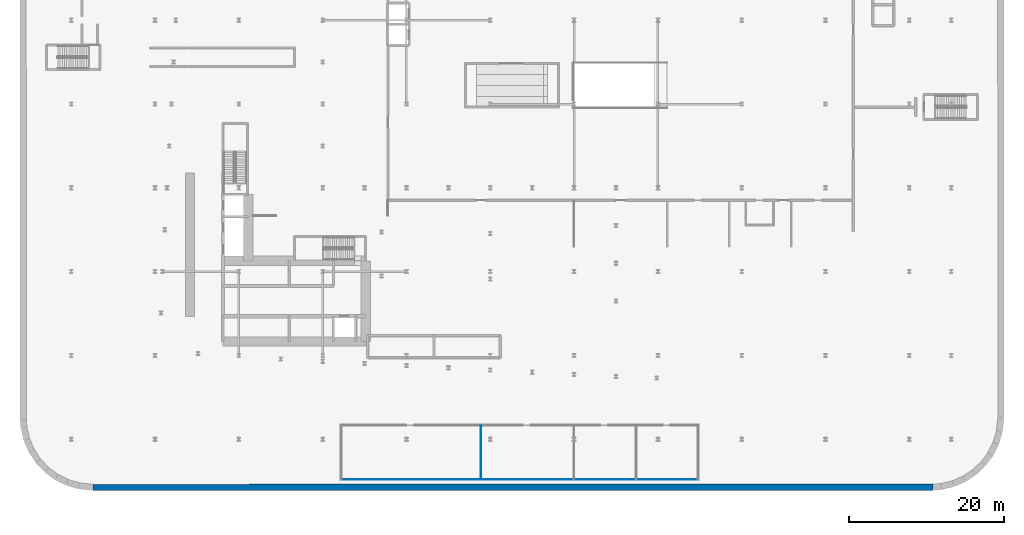
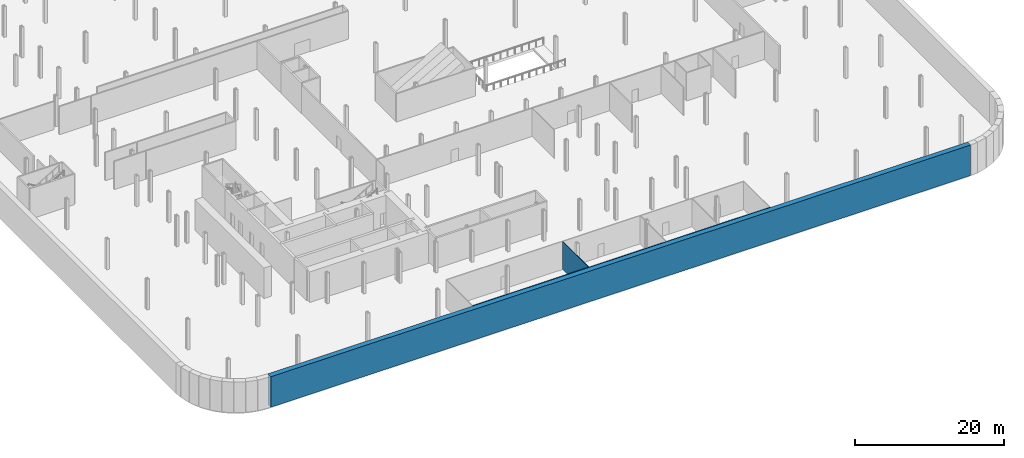
# One storey, part 7 of 19: 3 walls.
"""IFC4 building model written with IfcOpenShell, lengths in metres."""

from ifc_helpers import new_model, si_unit, direction, frame, frame_2d, origin, place, context, subcontext, project, spatial, rectangle, extrude, material, layer, layer_set, type_object, element, save


model = new_model("IFC4")

# Units and contexts
model_context = context("Model", 3, precision=1e-05, world=origin(), true_north=direction((0.0, 1.0)))
body_context = subcontext(model_context, "Body", "Model", "MODEL_VIEW")
ifc_project = project(units=[si_unit("LENGTHUNIT", "METRE"), si_unit("AREAUNIT", "SQUARE_METRE"), si_unit("VOLUMEUNIT", "CUBIC_METRE"), si_unit("PLANEANGLEUNIT", "RADIAN"), si_unit("MASSUNIT", "GRAM", prefix="KILO")], contexts=[model_context])

# Site, building, storey
site_placement = place(None, origin())
site = spatial("IfcSite", under=ifc_project, at=site_placement, CompositionType="ELEMENT")
building_placement = place(site_placement, origin())
building = spatial("IfcBuilding", under=site, at=building_placement, Name="Kheshtan School and Residences Tower", CompositionType="ELEMENT")
storey_placement = place(building_placement, frame((0.0, 0.0, -5.0)))
storey = spatial("IfcBuildingStorey", under=building, at=storey_placement, Name="B1", CompositionType="ELEMENT", Elevation=-5.0)

# Walls
ifc_material_1 = material(Name="Concrete C35/45", Category="concrete")
ifc_layer_1 = layer(ifc_material_1, 0.800048828125)
ifc_layer_set_1 = layer_set([ifc_layer_1], Name="Basement wall 800 Concrete C35/45")
wall_type_1 = type_object("IfcWallType", Name="Basement wall 800 Concrete C35/45", PredefinedType="SOLIDWALL", material=ifc_layer_set_1)
wall_1_placement = place(storey_placement, frame((126.260986328125, 7.010986328125, 0.0), z_axis=(0.0, 0.0, 1.0), x_axis=(-0.999999994851, -0.000101480029, 0.0)))
element("IfcWall", 1, at=wall_1_placement, inside=storey, type_object=wall_type_1, Name="Secant pile wall 30", PredefinedType="SOLIDWALL", context=body_context, shape_type="SweptSolid", body=[
    extrude(rectangle(XDim=108.260986328125, YDim=0.800048828125, at=frame_2d((54.13037109375, 0.0))), origin(), (0.0, 0.0, 1.0), 5.0),
])
ifc_material_2 = material(Name="Gypsum board on steel studs", Category="steel")
ifc_layer_2 = layer(ifc_material_2, 0.10009765625)
ifc_layer_set_2 = layer_set([ifc_layer_2], Name="Gypsum partition 100")
wall_type_2 = type_object("IfcWallType", Name="Gypsum partition 100", PredefinedType="PARTITIONING", material=ifc_layer_set_2)
wall_2_placement = place(storey_placement, frame((49.949951171875, 8.0, 0.0), z_axis=(0.0, 0.0, 1.0), x_axis=(1.0, 0.0, 0.0)))
element("IfcWall", 2, at=wall_2_placement, inside=storey, type_object=wall_type_2, Name="Partition B1-014", PredefinedType="PARTITIONING", context=body_context, shape_type="SweptSolid", body=[
    extrude(rectangle(XDim=46.10009765625, YDim=0.10009765625, at=frame_2d((23.050048828125, 0.0))), origin(), (0.0, 0.0, 1.0), 4.580078125),
])
wall_3_placement = place(storey_placement, frame((68.0, 8.050048828125, 0.0), z_axis=(0.0, 0.0, 1.0), x_axis=(0.0, 1.0, 0.0)))
element("IfcWall", 3, at=wall_3_placement, inside=storey, type_object=wall_type_2, Name="Partition B1-024", PredefinedType="PARTITIONING", context=body_context, shape_type="SweptSolid", body=[
    extrude(rectangle(XDim=6.89990234375, YDim=0.10009765625, at=frame_2d((3.449951171875, 0.0))), origin(), (0.0, 0.0, 1.0), 4.580078125),
])

save(model, "model.ifc")
